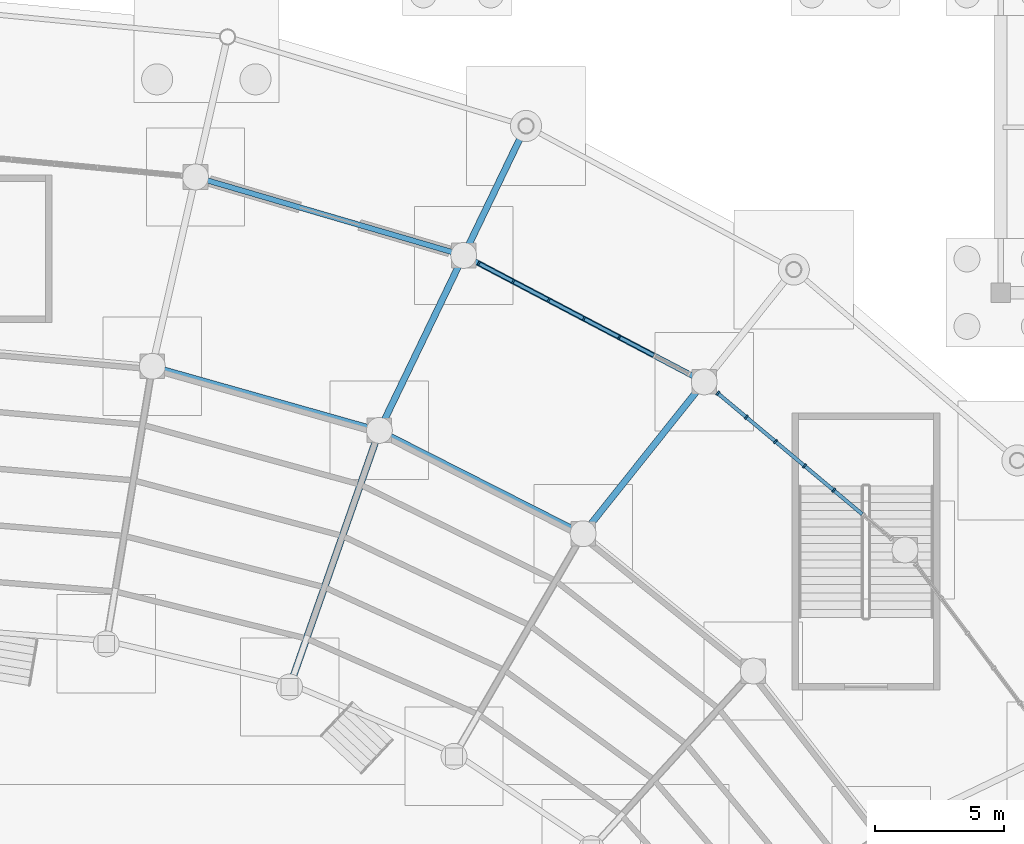
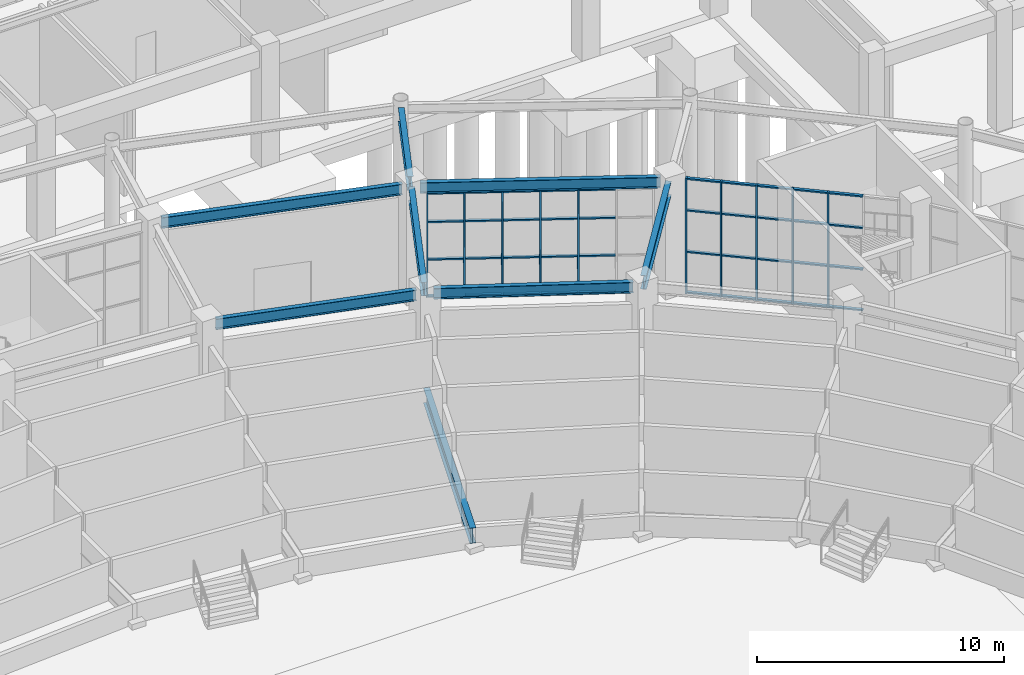
# One storey, part 50 of 121: 50 members, 8 beams, 2 elements without a shape of their own.
"""IFC4 building model written with IfcOpenShell, lengths in metres."""

from ifc_helpers import new_model, si_unit, direction, frame, origin, origin_2d, place, context, subcontext, project, spatial, rectangle, i_section, extrude, material, material_profile, profile_set, type_object, element, aggregate, save


model = new_model("IFC4")

# Units and contexts
model_context = context("Model", 3, precision=1e-05, world=origin(), true_north=direction((0.0, 1.0)))
body_context = subcontext(model_context, "Body", "Model", "MODEL_VIEW")
ifc_project = project(units=[si_unit("LENGTHUNIT", "METRE"), si_unit("AREAUNIT", "SQUARE_METRE"), si_unit("VOLUMEUNIT", "CUBIC_METRE"), si_unit("PLANEANGLEUNIT", "RADIAN"), si_unit("MASSUNIT", "GRAM", prefix="KILO")], contexts=[model_context])

# Site, building, storey
site_placement = place(None, origin())
site = spatial("IfcSite", under=ifc_project, at=site_placement, CompositionType="ELEMENT")
building_placement = place(site_placement, origin())
building = spatial("IfcBuilding", under=site, at=building_placement, Name="Cuetzalor Civic Arena", CompositionType="ELEMENT")
storey_placement = place(building_placement, origin())
storey = spatial("IfcBuildingStorey", under=building, at=storey_placement, Name="L00", CompositionType="ELEMENT", Elevation=0.0)

# Curtain wall, members
ifc_material_1 = material(Name="Anodised dark bronze aluminium and low-E solar glass", Category="aluminium")
curtain_wall_type_1 = type_object("IfcCurtainWallType", Name="UnitisedCW_8800x5700", PredefinedType="USERDEFINED", material=ifc_material_1)
curtain_wall_1_placement = place(storey_placement, origin())
curtain_wall_1 = element("IfcCurtainWall", 1, at=curtain_wall_1_placement, inside=storey, type_object=curtain_wall_type_1, Name="Drum Ground Recessed Concourse Curtain Wall L00-003", ObjectType="UNITISED CURTAIN WALL", PredefinedType="USERDEFINED")
ifc_material_2 = material(Name="Anodised dark bronze aluminium", Category="aluminium")
ifc_material_profile_1 = material_profile(ifc_material_2, rectangle(XDim=0.070068359375, YDim=0.179931640625, at=origin_2d()), Name="ALU MULLION 70x180")
ifc_profile_set_1 = profile_set([ifc_material_profile_1], Name="Anodised dark bronze aluminium")
member_type_1 = type_object("IfcMemberType", Name="CurtainWallMullion_65x180", PredefinedType="MULLION", material=ifc_profile_set_1)
member_1_placement = place(storey_placement, frame((31.0771484375, 31.61474609375, 0.0), z_axis=(0.0, 0.0, 1.0), x_axis=(0.766928030459, -0.641733119059, 0.0)))
member_1 = element("IfcMember", 2, at=member_1_placement, type_object=member_type_1, Name="CW-03 mullion 1", PredefinedType="MULLION", context=body_context, shape_type="SweptSolid", body=[
    extrude(rectangle(XDim=0.070068359375, YDim=0.179931640625, at=origin_2d()), origin(), (0.0, 0.0, 1.0), 5.699951171875),
])
member_2_placement = place(storey_placement, frame((32.177001953125, 30.694580078125, 0.0), z_axis=(0.0, 0.0, 1.0), x_axis=(0.766928030459, -0.641733119059, 0.0)))
member_2 = element("IfcMember", 3, at=member_2_placement, type_object=member_type_1, Name="CW-03 mullion 2", PredefinedType="MULLION", context=body_context, shape_type="SweptSolid", body=[
    extrude(rectangle(XDim=0.070068359375, YDim=0.179931640625, at=origin_2d()), origin(), (0.0, 0.0, 1.0), 5.699951171875),
])
member_3_placement = place(storey_placement, frame((33.3037109375, 29.751953125, 0.0), z_axis=(0.0, 0.0, 1.0), x_axis=(0.766928030459, -0.641733119059, 0.0)))
member_3 = element("IfcMember", 4, at=member_3_placement, type_object=member_type_1, Name="CW-03 mullion 3", PredefinedType="MULLION", context=body_context, shape_type="SweptSolid", body=[
    extrude(rectangle(XDim=0.070068359375, YDim=0.179931640625, at=origin_2d()), origin(), (0.0, 0.0, 1.0), 5.699951171875),
])
member_4_placement = place(storey_placement, frame((34.430419921875, 28.80908203125, 0.0), z_axis=(0.0, 0.0, 1.0), x_axis=(0.766928030459, -0.641733119059, 0.0)))
member_4 = element("IfcMember", 5, at=member_4_placement, type_object=member_type_1, Name="CW-03 mullion 4", PredefinedType="MULLION", context=body_context, shape_type="SweptSolid", body=[
    extrude(rectangle(XDim=0.070068359375, YDim=0.179931640625, at=origin_2d()), origin(), (0.0, 0.0, 1.0), 5.699951171875),
])
member_5_placement = place(storey_placement, frame((35.556884765625, 27.866455078125, 0.0), z_axis=(0.0, 0.0, 1.0), x_axis=(0.766928030459, -0.641733119059, 0.0)))
member_5 = element("IfcMember", 6, at=member_5_placement, type_object=member_type_1, Name="CW-03 mullion 5", PredefinedType="MULLION", context=body_context, shape_type="SweptSolid", body=[
    extrude(rectangle(XDim=0.070068359375, YDim=0.179931640625, at=origin_2d()), origin(), (0.0, 0.0, 1.0), 5.699951171875),
])

ifc_material_3 = material(Name="Anodised dark bronze aluminium and low-E solar glass", Category="aluminium")
curtain_wall_type_2 = type_object("IfcCurtainWallType", Name="UnitisedCW_9250x5150", PredefinedType="USERDEFINED", material=ifc_material_3)
curtain_wall_2_placement = place(storey_placement, origin())
curtain_wall_2 = element("IfcCurtainWall", 7, at=curtain_wall_2_placement, inside=storey, type_object=curtain_wall_type_2, Name="Drum Ground Recessed Concourse Curtain Wall L00-004", ObjectType="UNITISED CURTAIN WALL", PredefinedType="USERDEFINED")
member_6_placement = place(storey_placement, frame((21.84326171875, 36.63330078125, 0.0), z_axis=(0.0, 0.0, 1.0), x_axis=(0.885118421147, -0.465365856662, 0.0)))
member_6 = element("IfcMember", 8, at=member_6_placement, type_object=member_type_1, Name="CW-04 mullion 1", PredefinedType="MULLION", context=body_context, shape_type="SweptSolid", body=[
    extrude(rectangle(XDim=0.070068359375, YDim=0.179931640625, at=origin_2d()), origin(), (0.0, 0.0, 1.0), 5.156982421875),
])
member_7_placement = place(storey_placement, frame((23.1767578125, 35.93212890625, 0.0), z_axis=(0.0, 0.0, 1.0), x_axis=(0.885118421147, -0.465365856662, 0.0)))
member_7 = element("IfcMember", 9, at=member_7_placement, type_object=member_type_1, Name="CW-04 mullion 2", PredefinedType="MULLION", context=body_context, shape_type="SweptSolid", body=[
    extrude(rectangle(XDim=0.070068359375, YDim=0.179931640625, at=origin_2d()), origin(), (0.0, 0.0, 1.0), 5.156982421875),
])
member_8_placement = place(storey_placement, frame((24.541259765625, 35.21484375, 0.0), z_axis=(0.0, 0.0, 1.0), x_axis=(0.885118421147, -0.465365856662, 0.0)))
member_8 = element("IfcMember", 10, at=member_8_placement, type_object=member_type_1, Name="CW-04 mullion 3", PredefinedType="MULLION", context=body_context, shape_type="SweptSolid", body=[
    extrude(rectangle(XDim=0.070068359375, YDim=0.179931640625, at=origin_2d()), origin(), (0.0, 0.0, 1.0), 5.156982421875),
])
member_9_placement = place(storey_placement, frame((25.90576171875, 34.497314453125, 0.0), z_axis=(0.0, 0.0, 1.0), x_axis=(0.885118421147, -0.465365856662, 0.0)))
member_9 = element("IfcMember", 11, at=member_9_placement, type_object=member_type_1, Name="CW-04 mullion 4", PredefinedType="MULLION", context=body_context, shape_type="SweptSolid", body=[
    extrude(rectangle(XDim=0.070068359375, YDim=0.179931640625, at=origin_2d()), origin(), (0.0, 0.0, 1.0), 5.156982421875),
])
member_10_placement = place(storey_placement, frame((27.27001953125, 33.780029296875, 0.0), z_axis=(0.0, 0.0, 1.0), x_axis=(0.885118421147, -0.465365856662, 0.0)))
member_10 = element("IfcMember", 12, at=member_10_placement, type_object=member_type_1, Name="CW-04 mullion 5", PredefinedType="MULLION", context=body_context, shape_type="SweptSolid", body=[
    extrude(rectangle(XDim=0.070068359375, YDim=0.179931640625, at=origin_2d()), origin(), (0.0, 0.0, 1.0), 5.156982421875),
])

# Member
ifc_material_4 = material(Name="Anodised dark bronze aluminium", Category="aluminium")
ifc_material_profile_2 = material_profile(ifc_material_4, rectangle(XDim=0.139892578125, YDim=0.070068359375, at=origin_2d()), Name="ALU TRANSOM 70x140")
ifc_profile_set_2 = profile_set([ifc_material_profile_2], Name="Anodised dark bronze aluminium")
member_type_2 = type_object("IfcMemberType", Name="CurtainWallTransom_65x140", PredefinedType="USERDEFINED", material=ifc_profile_set_2)
member_11_placement = place(storey_placement, frame((31.10400390625, 31.59228515625, 0.034912109375), z_axis=(0.766972759582, -0.641679660001, 0.0), x_axis=(0.641679660001, 0.766972759582, 0.0)))
member_11 = element("IfcMember", 13, at=member_11_placement, type_object=member_type_2, Name="CW-03 transom 1.1", ObjectType="TRANSOM", PredefinedType="USERDEFINED", context=body_context, shape_type="SweptSolid", body=[
    extrude(rectangle(XDim=0.139892578125, YDim=0.070068359375, at=origin_2d()), origin(), (0.0, 0.0, 1.0), 1.364013671875),
])

member_12_placement = place(storey_placement, frame((31.10400390625, 31.59228515625, 2.052001953125), z_axis=(0.766972759582, -0.641679660001, 0.0), x_axis=(0.641679660001, 0.766972759582, 0.0)))
member_12 = element("IfcMember", 14, at=member_12_placement, type_object=member_type_2, Name="CW-03 transom 1.2", ObjectType="TRANSOM", PredefinedType="USERDEFINED", context=body_context, shape_type="SweptSolid", body=[
    extrude(rectangle(XDim=0.139892578125, YDim=0.070068359375, at=origin_2d()), origin(), (0.0, 0.0, 1.0), 1.364013671875),
])

member_13_placement = place(storey_placement, frame((31.10400390625, 31.59228515625, 4.10400390625), z_axis=(0.766972759582, -0.641679660001, 0.0), x_axis=(0.641679660001, 0.766972759582, 0.0)))
member_13 = element("IfcMember", 15, at=member_13_placement, type_object=member_type_2, Name="CW-03 transom 1.3", ObjectType="TRANSOM", PredefinedType="USERDEFINED", context=body_context, shape_type="SweptSolid", body=[
    extrude(rectangle(XDim=0.139892578125, YDim=0.070068359375, at=origin_2d()), origin(), (0.0, 0.0, 1.0), 1.364013671875),
])

member_14_placement = place(storey_placement, frame((31.10400390625, 31.59228515625, 5.6650390625), z_axis=(0.766972759582, -0.641679660001, 0.0), x_axis=(0.641679660001, 0.766972759582, 0.0)))
member_14 = element("IfcMember", 16, at=member_14_placement, type_object=member_type_2, Name="CW-03 transom 1.4", ObjectType="TRANSOM", PredefinedType="USERDEFINED", context=body_context, shape_type="SweptSolid", body=[
    extrude(rectangle(XDim=0.139892578125, YDim=0.070068359375, at=origin_2d()), origin(), (0.0, 0.0, 1.0), 1.364013671875),
])

member_15_placement = place(storey_placement, frame((32.203857421875, 30.672119140625, 0.034912109375), z_axis=(0.766975365209, -0.641676545591, 0.0), x_axis=(0.641676545591, 0.766975365209, 0.0)))
member_15 = element("IfcMember", 17, at=member_15_placement, type_object=member_type_2, Name="CW-03 transom 2.1", ObjectType="TRANSOM", PredefinedType="USERDEFINED", context=body_context, shape_type="SweptSolid", body=[
    extrude(rectangle(XDim=0.139892578125, YDim=0.070068359375, at=origin_2d()), origin(), (0.0, 0.0, 1.0), 1.39892578125),
])

member_16_placement = place(storey_placement, frame((32.203857421875, 30.672119140625, 2.052001953125), z_axis=(0.766975365209, -0.641676545591, 0.0), x_axis=(0.641676545591, 0.766975365209, 0.0)))
member_16 = element("IfcMember", 18, at=member_16_placement, type_object=member_type_2, Name="CW-03 transom 2.2", ObjectType="TRANSOM", PredefinedType="USERDEFINED", context=body_context, shape_type="SweptSolid", body=[
    extrude(rectangle(XDim=0.139892578125, YDim=0.070068359375, at=origin_2d()), origin(), (0.0, 0.0, 1.0), 1.39892578125),
])

member_17_placement = place(storey_placement, frame((32.203857421875, 30.672119140625, 4.10400390625), z_axis=(0.766975365209, -0.641676545591, 0.0), x_axis=(0.641676545591, 0.766975365209, 0.0)))
member_17 = element("IfcMember", 19, at=member_17_placement, type_object=member_type_2, Name="CW-03 transom 2.3", ObjectType="TRANSOM", PredefinedType="USERDEFINED", context=body_context, shape_type="SweptSolid", body=[
    extrude(rectangle(XDim=0.139892578125, YDim=0.070068359375, at=origin_2d()), origin(), (0.0, 0.0, 1.0), 1.39892578125),
])

member_18_placement = place(storey_placement, frame((32.203857421875, 30.672119140625, 5.6650390625), z_axis=(0.766975365209, -0.641676545591, 0.0), x_axis=(0.641676545591, 0.766975365209, 0.0)))
member_18 = element("IfcMember", 20, at=member_18_placement, type_object=member_type_2, Name="CW-03 transom 2.4", ObjectType="TRANSOM", PredefinedType="USERDEFINED", context=body_context, shape_type="SweptSolid", body=[
    extrude(rectangle(XDim=0.139892578125, YDim=0.070068359375, at=origin_2d()), origin(), (0.0, 0.0, 1.0), 1.39892578125),
])

member_19_placement = place(storey_placement, frame((33.33056640625, 29.7294921875, 0.034912109375), z_axis=(0.766889482405, -0.641779184593, 0.0), x_axis=(0.641779184593, 0.766889482405, 0.0)))
member_19 = element("IfcMember", 21, at=member_19_placement, type_object=member_type_2, Name="CW-03 transom 3.1", ObjectType="TRANSOM", PredefinedType="USERDEFINED", context=body_context, shape_type="SweptSolid", body=[
    extrude(rectangle(XDim=0.139892578125, YDim=0.070068359375, at=origin_2d()), origin(), (0.0, 0.0, 1.0), 1.399169921875),
])

member_20_placement = place(storey_placement, frame((33.33056640625, 29.7294921875, 2.052001953125), z_axis=(0.766889482405, -0.641779184593, 0.0), x_axis=(0.641779184593, 0.766889482405, 0.0)))
member_20 = element("IfcMember", 22, at=member_20_placement, type_object=member_type_2, Name="CW-03 transom 3.2", ObjectType="TRANSOM", PredefinedType="USERDEFINED", context=body_context, shape_type="SweptSolid", body=[
    extrude(rectangle(XDim=0.139892578125, YDim=0.070068359375, at=origin_2d()), origin(), (0.0, 0.0, 1.0), 1.399169921875),
])

member_21_placement = place(storey_placement, frame((33.33056640625, 29.7294921875, 4.10400390625), z_axis=(0.766889482405, -0.641779184593, 0.0), x_axis=(0.641779184593, 0.766889482405, 0.0)))
member_21 = element("IfcMember", 23, at=member_21_placement, type_object=member_type_2, Name="CW-03 transom 3.3", ObjectType="TRANSOM", PredefinedType="USERDEFINED", context=body_context, shape_type="SweptSolid", body=[
    extrude(rectangle(XDim=0.139892578125, YDim=0.070068359375, at=origin_2d()), origin(), (0.0, 0.0, 1.0), 1.399169921875),
])

member_22_placement = place(storey_placement, frame((33.33056640625, 29.7294921875, 5.6650390625), z_axis=(0.766889482405, -0.641779184593, 0.0), x_axis=(0.641779184593, 0.766889482405, 0.0)))
member_22 = element("IfcMember", 24, at=member_22_placement, type_object=member_type_2, Name="CW-03 transom 3.4", ObjectType="TRANSOM", PredefinedType="USERDEFINED", context=body_context, shape_type="SweptSolid", body=[
    extrude(rectangle(XDim=0.139892578125, YDim=0.070068359375, at=origin_2d()), origin(), (0.0, 0.0, 1.0), 1.399169921875),
])

member_23_placement = place(storey_placement, frame((34.457275390625, 28.78662109375, 0.034912109375), z_axis=(0.766975365209, -0.641676545591, 0.0), x_axis=(0.641676545591, 0.766975365209, 0.0)))
member_23 = element("IfcMember", 25, at=member_23_placement, type_object=member_type_2, Name="CW-03 transom 4.1", ObjectType="TRANSOM", PredefinedType="USERDEFINED", context=body_context, shape_type="SweptSolid", body=[
    extrude(rectangle(XDim=0.139892578125, YDim=0.070068359375, at=origin_2d()), origin(), (0.0, 0.0, 1.0), 1.39892578125),
])

member_24_placement = place(storey_placement, frame((34.457275390625, 28.78662109375, 2.052001953125), z_axis=(0.766975365209, -0.641676545591, 0.0), x_axis=(0.641676545591, 0.766975365209, 0.0)))
member_24 = element("IfcMember", 26, at=member_24_placement, type_object=member_type_2, Name="CW-03 transom 4.2", ObjectType="TRANSOM", PredefinedType="USERDEFINED", context=body_context, shape_type="SweptSolid", body=[
    extrude(rectangle(XDim=0.139892578125, YDim=0.070068359375, at=origin_2d()), origin(), (0.0, 0.0, 1.0), 1.39892578125),
])

member_25_placement = place(storey_placement, frame((34.457275390625, 28.78662109375, 4.10400390625), z_axis=(0.766975365209, -0.641676545591, 0.0), x_axis=(0.641676545591, 0.766975365209, 0.0)))
member_25 = element("IfcMember", 27, at=member_25_placement, type_object=member_type_2, Name="CW-03 transom 4.3", ObjectType="TRANSOM", PredefinedType="USERDEFINED", context=body_context, shape_type="SweptSolid", body=[
    extrude(rectangle(XDim=0.139892578125, YDim=0.070068359375, at=origin_2d()), origin(), (0.0, 0.0, 1.0), 1.39892578125),
])

member_26_placement = place(storey_placement, frame((34.457275390625, 28.78662109375, 5.6650390625), z_axis=(0.766975365209, -0.641676545591, 0.0), x_axis=(0.641676545591, 0.766975365209, 0.0)))
member_26 = element("IfcMember", 28, at=member_26_placement, type_object=member_type_2, Name="CW-03 transom 4.4", ObjectType="TRANSOM", PredefinedType="USERDEFINED", context=body_context, shape_type="SweptSolid", body=[
    extrude(rectangle(XDim=0.139892578125, YDim=0.070068359375, at=origin_2d()), origin(), (0.0, 0.0, 1.0), 1.39892578125),
])

member_27_placement = place(storey_placement, frame((35.583740234375, 27.843994140625, 0.034912109375), z_axis=(0.766889482405, -0.641779184593, 0.0), x_axis=(0.641779184593, 0.766889482405, 0.0)))
member_27 = element("IfcMember", 29, at=member_27_placement, type_object=member_type_2, Name="CW-03 transom 5.1", ObjectType="TRANSOM", PredefinedType="USERDEFINED", context=body_context, shape_type="SweptSolid", body=[
    extrude(rectangle(XDim=0.139892578125, YDim=0.070068359375, at=origin_2d()), origin(), (0.0, 0.0, 1.0), 1.399169921875),
])

member_28_placement = place(storey_placement, frame((35.583740234375, 27.843994140625, 2.052001953125), z_axis=(0.766889482405, -0.641779184593, 0.0), x_axis=(0.641779184593, 0.766889482405, 0.0)))
member_28 = element("IfcMember", 30, at=member_28_placement, type_object=member_type_2, Name="CW-03 transom 5.2", ObjectType="TRANSOM", PredefinedType="USERDEFINED", context=body_context, shape_type="SweptSolid", body=[
    extrude(rectangle(XDim=0.139892578125, YDim=0.070068359375, at=origin_2d()), origin(), (0.0, 0.0, 1.0), 1.399169921875),
])

member_29_placement = place(storey_placement, frame((35.583740234375, 27.843994140625, 4.10400390625), z_axis=(0.766889482405, -0.641779184593, 0.0), x_axis=(0.641779184593, 0.766889482405, 0.0)))
member_29 = element("IfcMember", 31, at=member_29_placement, type_object=member_type_2, Name="CW-03 transom 5.3", ObjectType="TRANSOM", PredefinedType="USERDEFINED", context=body_context, shape_type="SweptSolid", body=[
    extrude(rectangle(XDim=0.139892578125, YDim=0.070068359375, at=origin_2d()), origin(), (0.0, 0.0, 1.0), 1.399169921875),
])

member_30_placement = place(storey_placement, frame((35.583740234375, 27.843994140625, 5.6650390625), z_axis=(0.766889482405, -0.641779184593, 0.0), x_axis=(0.641779184593, 0.766889482405, 0.0)))
member_30 = element("IfcMember", 32, at=member_30_placement, type_object=member_type_2, Name="CW-03 transom 5.4", ObjectType="TRANSOM", PredefinedType="USERDEFINED", context=body_context, shape_type="SweptSolid", body=[
    extrude(rectangle(XDim=0.139892578125, YDim=0.070068359375, at=origin_2d()), origin(), (0.0, 0.0, 1.0), 1.399169921875),
])

aggregate(curtain_wall_1, [member_1, member_2, member_3, member_4, member_5, member_11, member_12, member_13, member_14, member_15, member_16, member_17, member_18, member_19, member_20, member_21, member_22, member_23, member_24, member_25, member_26, member_27, member_28, member_29, member_30])

member_31_placement = place(storey_placement, frame((21.874267578125, 36.616943359375, 0.034912109375), z_axis=(0.885131956894, -0.465340110978, 0.0), x_axis=(0.465340110978, 0.885131956894, 0.0)))
member_31 = element("IfcMember", 33, at=member_31_placement, type_object=member_type_2, Name="CW-04 transom 1.1", ObjectType="TRANSOM", PredefinedType="USERDEFINED", context=body_context, shape_type="SweptSolid", body=[
    extrude(rectangle(XDim=0.139892578125, YDim=0.070068359375, at=origin_2d()), origin(), (0.0, 0.0, 1.0), 1.4365234375),
])

member_32_placement = place(storey_placement, frame((21.874267578125, 36.616943359375, 1.85693359375), z_axis=(0.885131956894, -0.465340110978, 0.0), x_axis=(0.465340110978, 0.885131956894, 0.0)))
member_32 = element("IfcMember", 34, at=member_32_placement, type_object=member_type_2, Name="CW-04 transom 1.2", ObjectType="TRANSOM", PredefinedType="USERDEFINED", context=body_context, shape_type="SweptSolid", body=[
    extrude(rectangle(XDim=0.139892578125, YDim=0.070068359375, at=origin_2d()), origin(), (0.0, 0.0, 1.0), 1.4365234375),
])

member_33_placement = place(storey_placement, frame((21.874267578125, 36.616943359375, 3.712890625), z_axis=(0.885131956894, -0.465340110978, 0.0), x_axis=(0.465340110978, 0.885131956894, 0.0)))
member_33 = element("IfcMember", 35, at=member_33_placement, type_object=member_type_2, Name="CW-04 transom 1.3", ObjectType="TRANSOM", PredefinedType="USERDEFINED", context=body_context, shape_type="SweptSolid", body=[
    extrude(rectangle(XDim=0.139892578125, YDim=0.070068359375, at=origin_2d()), origin(), (0.0, 0.0, 1.0), 1.4365234375),
])

member_34_placement = place(storey_placement, frame((21.874267578125, 36.616943359375, 5.1220703125), z_axis=(0.885131956894, -0.465340110978, 0.0), x_axis=(0.465340110978, 0.885131956894, 0.0)))
member_34 = element("IfcMember", 36, at=member_34_placement, type_object=member_type_2, Name="CW-04 transom 1.4", ObjectType="TRANSOM", PredefinedType="USERDEFINED", context=body_context, shape_type="SweptSolid", body=[
    extrude(rectangle(XDim=0.139892578125, YDim=0.070068359375, at=origin_2d()), origin(), (0.0, 0.0, 1.0), 1.4365234375),
])

member_35_placement = place(storey_placement, frame((23.207763671875, 35.916015625, 0.034912109375), z_axis=(0.885116079734, -0.465370309963, 0.0), x_axis=(0.465370309963, 0.885116079734, 0.0)))
member_35 = element("IfcMember", 37, at=member_35_placement, type_object=member_type_2, Name="CW-04 transom 2.1", ObjectType="TRANSOM", PredefinedType="USERDEFINED", context=body_context, shape_type="SweptSolid", body=[
    extrude(rectangle(XDim=0.139892578125, YDim=0.070068359375, at=origin_2d()), origin(), (0.0, 0.0, 1.0), 1.471435546875),
])

member_36_placement = place(storey_placement, frame((23.207763671875, 35.916015625, 1.85693359375), z_axis=(0.885116079734, -0.465370309963, 0.0), x_axis=(0.465370309963, 0.885116079734, 0.0)))
member_36 = element("IfcMember", 38, at=member_36_placement, type_object=member_type_2, Name="CW-04 transom 2.2", ObjectType="TRANSOM", PredefinedType="USERDEFINED", context=body_context, shape_type="SweptSolid", body=[
    extrude(rectangle(XDim=0.139892578125, YDim=0.070068359375, at=origin_2d()), origin(), (0.0, 0.0, 1.0), 1.471435546875),
])

member_37_placement = place(storey_placement, frame((23.207763671875, 35.916015625, 3.712890625), z_axis=(0.885116079734, -0.465370309963, 0.0), x_axis=(0.465370309963, 0.885116079734, 0.0)))
member_37 = element("IfcMember", 39, at=member_37_placement, type_object=member_type_2, Name="CW-04 transom 2.3", ObjectType="TRANSOM", PredefinedType="USERDEFINED", context=body_context, shape_type="SweptSolid", body=[
    extrude(rectangle(XDim=0.139892578125, YDim=0.070068359375, at=origin_2d()), origin(), (0.0, 0.0, 1.0), 1.471435546875),
])

member_38_placement = place(storey_placement, frame((23.207763671875, 35.916015625, 5.1220703125), z_axis=(0.885116079734, -0.465370309963, 0.0), x_axis=(0.465370309963, 0.885116079734, 0.0)))
member_38 = element("IfcMember", 40, at=member_38_placement, type_object=member_type_2, Name="CW-04 transom 2.4", ObjectType="TRANSOM", PredefinedType="USERDEFINED", context=body_context, shape_type="SweptSolid", body=[
    extrude(rectangle(XDim=0.139892578125, YDim=0.070068359375, at=origin_2d()), origin(), (0.0, 0.0, 1.0), 1.471435546875),
])

member_39_placement = place(storey_placement, frame((24.572265625, 35.198486328125, 0.034912109375), z_axis=(0.885116079734, -0.465370309963, 0.0), x_axis=(0.465370309963, 0.885116079734, 0.0)))
member_39 = element("IfcMember", 41, at=member_39_placement, type_object=member_type_2, Name="CW-04 transom 3.1", ObjectType="TRANSOM", PredefinedType="USERDEFINED", context=body_context, shape_type="SweptSolid", body=[
    extrude(rectangle(XDim=0.139892578125, YDim=0.070068359375, at=origin_2d()), origin(), (0.0, 0.0, 1.0), 1.471435546875),
])

member_40_placement = place(storey_placement, frame((24.572265625, 35.198486328125, 1.85693359375), z_axis=(0.885116079734, -0.465370309963, 0.0), x_axis=(0.465370309963, 0.885116079734, 0.0)))
member_40 = element("IfcMember", 42, at=member_40_placement, type_object=member_type_2, Name="CW-04 transom 3.2", ObjectType="TRANSOM", PredefinedType="USERDEFINED", context=body_context, shape_type="SweptSolid", body=[
    extrude(rectangle(XDim=0.139892578125, YDim=0.070068359375, at=origin_2d()), origin(), (0.0, 0.0, 1.0), 1.471435546875),
])

member_41_placement = place(storey_placement, frame((24.572265625, 35.198486328125, 3.712890625), z_axis=(0.885116079734, -0.465370309963, 0.0), x_axis=(0.465370309963, 0.885116079734, 0.0)))
member_41 = element("IfcMember", 43, at=member_41_placement, type_object=member_type_2, Name="CW-04 transom 3.3", ObjectType="TRANSOM", PredefinedType="USERDEFINED", context=body_context, shape_type="SweptSolid", body=[
    extrude(rectangle(XDim=0.139892578125, YDim=0.070068359375, at=origin_2d()), origin(), (0.0, 0.0, 1.0), 1.471435546875),
])

member_42_placement = place(storey_placement, frame((24.572265625, 35.198486328125, 5.1220703125), z_axis=(0.885116079734, -0.465370309963, 0.0), x_axis=(0.465370309963, 0.885116079734, 0.0)))
member_42 = element("IfcMember", 44, at=member_42_placement, type_object=member_type_2, Name="CW-04 transom 3.4", ObjectType="TRANSOM", PredefinedType="USERDEFINED", context=body_context, shape_type="SweptSolid", body=[
    extrude(rectangle(XDim=0.139892578125, YDim=0.070068359375, at=origin_2d()), origin(), (0.0, 0.0, 1.0), 1.471435546875),
])

member_43_placement = place(storey_placement, frame((25.9365234375, 34.481201171875, 0.034912109375), z_axis=(0.885152002312, -0.465301980226, 0.0), x_axis=(0.465301980226, 0.885152002312, 0.0)))
member_43 = element("IfcMember", 45, at=member_43_placement, type_object=member_type_2, Name="CW-04 transom 4.1", ObjectType="TRANSOM", PredefinedType="USERDEFINED", context=body_context, shape_type="SweptSolid", body=[
    extrude(rectangle(XDim=0.139892578125, YDim=0.070068359375, at=origin_2d()), origin(), (0.0, 0.0, 1.0), 1.4716796875),
])

member_44_placement = place(storey_placement, frame((25.9365234375, 34.481201171875, 1.85693359375), z_axis=(0.885152002312, -0.465301980226, 0.0), x_axis=(0.465301980226, 0.885152002312, 0.0)))
member_44 = element("IfcMember", 46, at=member_44_placement, type_object=member_type_2, Name="CW-04 transom 4.2", ObjectType="TRANSOM", PredefinedType="USERDEFINED", context=body_context, shape_type="SweptSolid", body=[
    extrude(rectangle(XDim=0.139892578125, YDim=0.070068359375, at=origin_2d()), origin(), (0.0, 0.0, 1.0), 1.4716796875),
])

member_45_placement = place(storey_placement, frame((25.9365234375, 34.481201171875, 3.712890625), z_axis=(0.885152002312, -0.465301980226, 0.0), x_axis=(0.465301980226, 0.885152002312, 0.0)))
member_45 = element("IfcMember", 47, at=member_45_placement, type_object=member_type_2, Name="CW-04 transom 4.3", ObjectType="TRANSOM", PredefinedType="USERDEFINED", context=body_context, shape_type="SweptSolid", body=[
    extrude(rectangle(XDim=0.139892578125, YDim=0.070068359375, at=origin_2d()), origin(), (0.0, 0.0, 1.0), 1.4716796875),
])

member_46_placement = place(storey_placement, frame((25.9365234375, 34.481201171875, 5.1220703125), z_axis=(0.885152002312, -0.465301980226, 0.0), x_axis=(0.465301980226, 0.885152002312, 0.0)))
member_46 = element("IfcMember", 48, at=member_46_placement, type_object=member_type_2, Name="CW-04 transom 4.4", ObjectType="TRANSOM", PredefinedType="USERDEFINED", context=body_context, shape_type="SweptSolid", body=[
    extrude(rectangle(XDim=0.139892578125, YDim=0.070068359375, at=origin_2d()), origin(), (0.0, 0.0, 1.0), 1.4716796875),
])

member_47_placement = place(storey_placement, frame((27.301025390625, 33.763671875, 0.034912109375), z_axis=(0.885116079734, -0.465370309963, 0.0), x_axis=(0.465370309963, 0.885116079734, 0.0)))
member_47 = element("IfcMember", 49, at=member_47_placement, type_object=member_type_2, Name="CW-04 transom 5.1", ObjectType="TRANSOM", PredefinedType="USERDEFINED", context=body_context, shape_type="SweptSolid", body=[
    extrude(rectangle(XDim=0.139892578125, YDim=0.070068359375, at=origin_2d()), origin(), (0.0, 0.0, 1.0), 1.471435546875),
])

member_48_placement = place(storey_placement, frame((27.301025390625, 33.763671875, 1.85693359375), z_axis=(0.885116079734, -0.465370309963, 0.0), x_axis=(0.465370309963, 0.885116079734, 0.0)))
member_48 = element("IfcMember", 50, at=member_48_placement, type_object=member_type_2, Name="CW-04 transom 5.2", ObjectType="TRANSOM", PredefinedType="USERDEFINED", context=body_context, shape_type="SweptSolid", body=[
    extrude(rectangle(XDim=0.139892578125, YDim=0.070068359375, at=origin_2d()), origin(), (0.0, 0.0, 1.0), 1.471435546875),
])

member_49_placement = place(storey_placement, frame((27.301025390625, 33.763671875, 3.712890625), z_axis=(0.885116079734, -0.465370309963, 0.0), x_axis=(0.465370309963, 0.885116079734, 0.0)))
member_49 = element("IfcMember", 51, at=member_49_placement, type_object=member_type_2, Name="CW-04 transom 5.3", ObjectType="TRANSOM", PredefinedType="USERDEFINED", context=body_context, shape_type="SweptSolid", body=[
    extrude(rectangle(XDim=0.139892578125, YDim=0.070068359375, at=origin_2d()), origin(), (0.0, 0.0, 1.0), 1.471435546875),
])

member_50_placement = place(storey_placement, frame((27.301025390625, 33.763671875, 5.1220703125), z_axis=(0.885116079734, -0.465370309963, 0.0), x_axis=(0.465370309963, 0.885116079734, 0.0)))
member_50 = element("IfcMember", 52, at=member_50_placement, type_object=member_type_2, Name="CW-04 transom 5.4", ObjectType="TRANSOM", PredefinedType="USERDEFINED", context=body_context, shape_type="SweptSolid", body=[
    extrude(rectangle(XDim=0.139892578125, YDim=0.070068359375, at=origin_2d()), origin(), (0.0, 0.0, 1.0), 1.471435546875),
])

aggregate(curtain_wall_2, [member_6, member_7, member_8, member_9, member_10, member_31, member_32, member_33, member_34, member_35, member_36, member_37, member_38, member_39, member_40, member_41, member_42, member_43, member_44, member_45, member_46, member_47, member_48, member_49, member_50])

# Beams
ifc_material_5 = material(Name="Steel S355", Category="steel")
ifc_material_profile_3 = material_profile(ifc_material_5, i_section(OverallWidth=0.264892578125, OverallDepth=0.7529296875, WebThickness=0.01318359375, FlangeThickness=0.01708984375, at=origin_2d()), Name="W760x147")
ifc_profile_set_3 = profile_set([ifc_material_profile_3], Name="Steel S355")
beam_type_1 = type_object("IfcBeamType", Name="LowerBowlRakerBeam_W760", PredefinedType="USERDEFINED", material=ifc_profile_set_3)
beam_1_placement = place(storey_placement, frame((14.53515625, 20.271728515625, 0.6435546875), z_axis=(0.330548514314, 0.943789001676, 0.0), x_axis=(-0.943789001676, 0.330548514314, 0.0)))
element("IfcBeam", 53, at=beam_1_placement, inside=storey, type_object=beam_type_1, Name="Lower Bowl Raker Beam R06", ObjectType="RAKER", PredefinedType="USERDEFINED", context=body_context, shape_type="SweptSolid", body=[
    extrude(i_section(OverallWidth=0.264892578125, OverallDepth=0.7529296875, WebThickness=0.01318359375, FlangeThickness=0.01708984375, at=origin_2d()), origin(), (0.0, 0.0, 1.0), 10.10107421875),
])
ifc_material_6 = material(Name="Steel S355", Category="steel")
ifc_material_profile_4 = material_profile(ifc_material_6, i_section(OverallWidth=0.208984375, OverallDepth=0.532958984375, WebThickness=0.01025390625, FlangeThickness=0.015625, at=origin_2d()), Name="W530x92")
ifc_profile_set_4 = profile_set([ifc_material_profile_4], Name="Steel S355")
beam_type_2 = type_object("IfcBeamType", Name="SteelCollarGirder_W530", PredefinedType="BEAM", material=ifc_profile_set_4)
beam_2_placement = place(storey_placement, frame((30.223388671875, 32.227294921875, 5.43359375), z_axis=(-0.885117354883, 0.465367884673, 0.0), x_axis=(-0.465367884673, -0.885117354883, 0.0)))
element("IfcBeam", 54, at=beam_2_placement, inside=storey, type_object=beam_type_2, Name="Drum Concourse Ring Girder L00-S05", PredefinedType="BEAM", context=body_context, shape_type="SweptSolid", body=[
    extrude(i_section(OverallWidth=0.208984375, OverallDepth=0.532958984375, WebThickness=0.01025390625, FlangeThickness=0.015625, at=origin_2d()), origin(), (0.0, 0.0, 1.0), 9.75634765625),
])
beam_3_placement = place(storey_placement, frame((25.5537109375, 26.354248046875, 5.43359375), z_axis=(-0.89182706622, 0.452376484754, 0.0), x_axis=(-0.452376484754, -0.89182706622, 0.0)))
element("IfcBeam", 55, at=beam_3_placement, inside=storey, type_object=beam_type_2, Name="Bowl Inner Ring Girder L00-S05", PredefinedType="BEAM", context=body_context, shape_type="SweptSolid", body=[
    extrude(i_section(OverallWidth=0.208984375, OverallDepth=0.532958984375, WebThickness=0.01025390625, FlangeThickness=0.015625, at=origin_2d()), origin(), (0.0, 0.0, 1.0), 8.102783203125),
])
beam_4_placement = place(storey_placement, frame((20.9052734375, 37.043701171875, 5.43359375), z_axis=(-0.959716323112, 0.280970779889, 0.0), x_axis=(-0.280970779889, -0.959716323112, 0.0)))
element("IfcBeam", 56, at=beam_4_placement, inside=storey, type_object=beam_type_2, Name="Drum Concourse Ring Girder L00-S06", PredefinedType="BEAM", context=body_context, shape_type="SweptSolid", body=[
    extrude(i_section(OverallWidth=0.208984375, OverallDepth=0.532958984375, WebThickness=0.01025390625, FlangeThickness=0.015625, at=origin_2d()), origin(), (0.0, 0.0, 1.0), 10.0517578125),
])
beam_5_placement = place(storey_placement, frame((17.659912109375, 30.280517578125, 5.43359375), z_axis=(-0.962353567102, 0.271800684117, 0.0), x_axis=(-0.271800684117, -0.962353567102, 0.0)))
element("IfcBeam", 57, at=beam_5_placement, inside=storey, type_object=beam_type_2, Name="Bowl Inner Ring Girder L00-S06", PredefinedType="BEAM", context=body_context, shape_type="SweptSolid", body=[
    extrude(i_section(OverallWidth=0.208984375, OverallDepth=0.532958984375, WebThickness=0.01025390625, FlangeThickness=0.015625, at=origin_2d()), origin(), (0.0, 0.0, 1.0), 8.394775390625),
])
ifc_material_7 = material(Name="Steel S355", Category="steel")
ifc_material_profile_5 = material_profile(ifc_material_7, i_section(OverallWidth=0.2529296875, OverallDepth=0.677978515625, WebThickness=0.01171875, FlangeThickness=0.016357421875, at=origin_2d()), Name="W690x125")
ifc_profile_set_5 = profile_set([ifc_material_profile_5], Name="Steel S355")
beam_type_3 = type_object("IfcBeamType", Name="SteelPrimaryGirder_W690", PredefinedType="BEAM", material=ifc_profile_set_5)
beam_6_placement = place(storey_placement, frame((26.099365234375, 26.472900390625, 5.361083984375), z_axis=(0.623473464464, 0.781844510826, 0.0), x_axis=(-0.781844510826, 0.623473464464, 0.0)))
element("IfcBeam", 58, at=beam_6_placement, inside=storey, type_object=beam_type_3, Name="Drum Inner Radial Girder L00-R05", PredefinedType="BEAM", context=body_context, shape_type="SweptSolid", body=[
    extrude(i_section(OverallWidth=0.2529296875, OverallDepth=0.677978515625, WebThickness=0.01171875, FlangeThickness=0.016357421875, at=origin_2d()), origin(), (0.0, 0.0, 1.0), 6.77978515625),
])
beam_7_placement = place(storey_placement, frame((21.41650390625, 37.263916015625, 5.361083984375), z_axis=(0.433871046232, 0.900974980364, 0.0), x_axis=(-0.900974980364, 0.433871046232, 0.0)))
element("IfcBeam", 59, at=beam_7_placement, inside=storey, type_object=beam_type_3, Name="Drum Radial Girder L00-R06", PredefinedType="BEAM", context=body_context, shape_type="SweptSolid", body=[
    extrude(i_section(OverallWidth=0.2529296875, OverallDepth=0.677978515625, WebThickness=0.01171875, FlangeThickness=0.016357421875, at=origin_2d()), origin(), (0.0, 0.0, 1.0), 4.89990234375),
])
beam_8_placement = place(storey_placement, frame((18.162353515625, 30.5068359375, 5.361083984375), z_axis=(0.433869751452, 0.900975603874, 0.0), x_axis=(-0.900975603874, 0.433869751452, 0.0)))
element("IfcBeam", 60, at=beam_8_placement, inside=storey, type_object=beam_type_3, Name="Drum Inner Radial Girder L00-R06", PredefinedType="BEAM", context=body_context, shape_type="SweptSolid", body=[
    extrude(i_section(OverallWidth=0.2529296875, OverallDepth=0.677978515625, WebThickness=0.01171875, FlangeThickness=0.016357421875, at=origin_2d()), origin(), (0.0, 0.0, 1.0), 6.780029296875),
])

save(model, "model.ifc")
